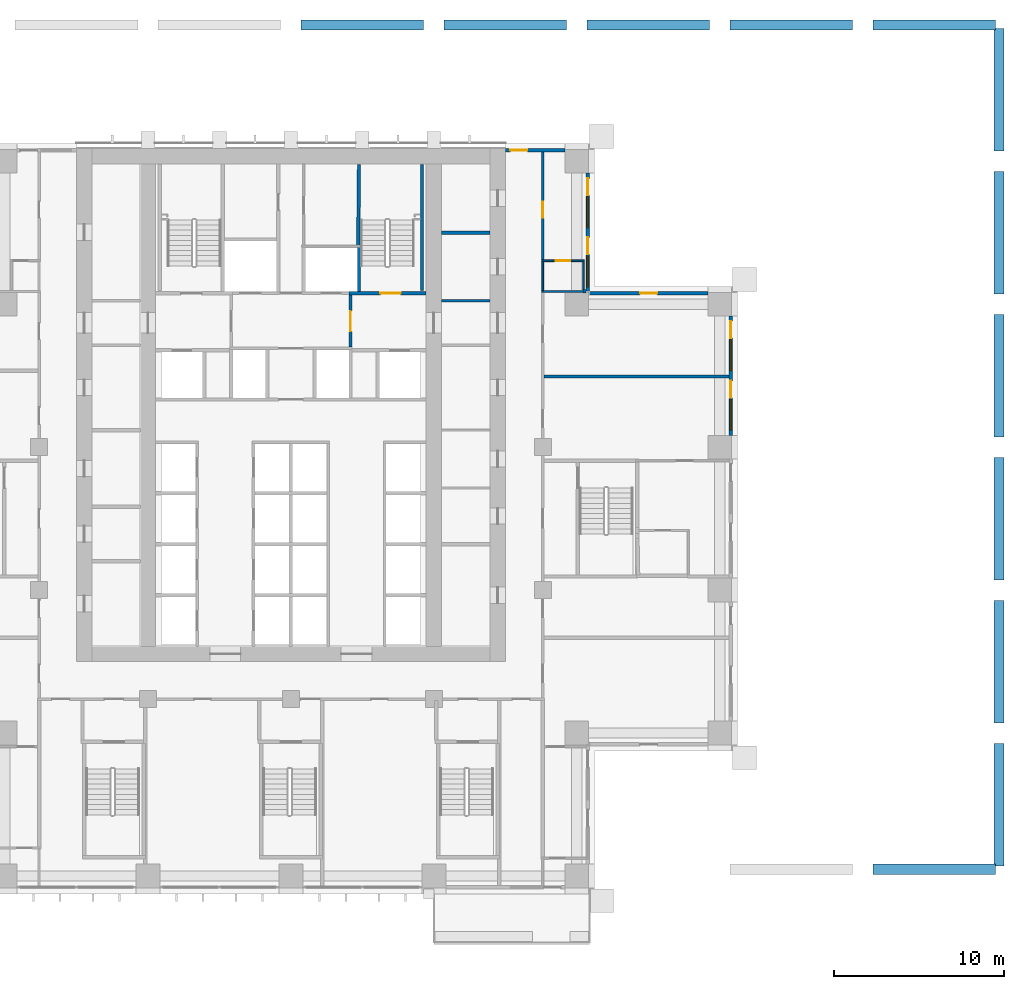
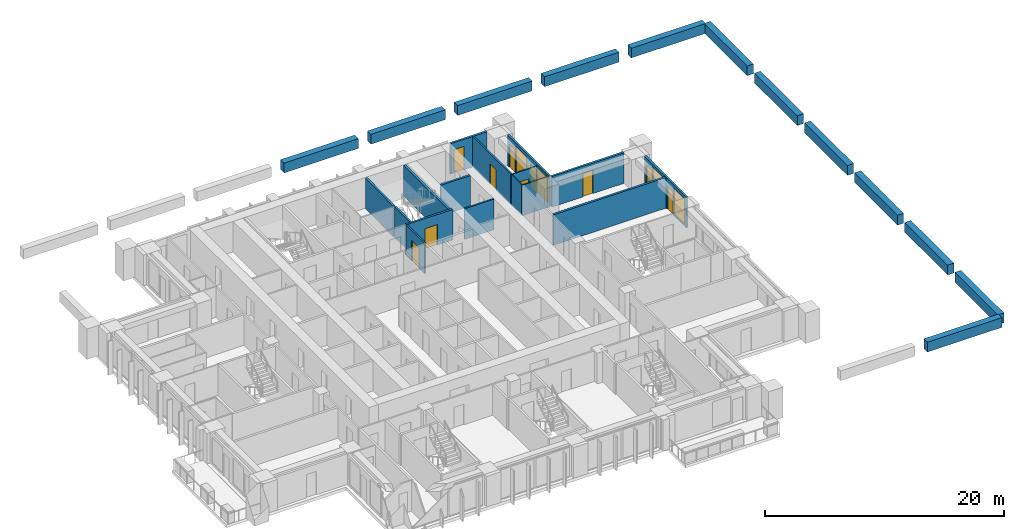
# One storey, part 13 of 18: 30 walls, 10 doors, 4 windows, 14 openings.
"""IFC4 building model written with IfcOpenShell, lengths in metres."""

import ifcopenshell
import ifcopenshell.guid

model = None  # the IFC model being written
_history = None  # IfcOwnerHistory: only IFC2X3 demands one
_inside = {}  # id of a spatial element -> (the spatial element, [elements in it])
_under = {}  # id of a project, library or spatial element -> (it, [spatial elements below it])
_declared = {}  # id of a project -> (the project, [libraries it declares])
_typed = {}  # id of a type object -> (the type object, [elements of that type])
_made_of = {}  # id of a material, layer set ... -> (it, [elements and type objects made of it])


def new_model(schema):
    """Start an empty IFC model of exactly this schema.

    Asked for "IFC4X3", IfcOpenShell would pick the latest addendum, in which some entities
    have other attributes; the version numbers below select the first issue.
    IFC2X3 requires an IfcOwnerHistory on every rooted entity: one is made here for all.
    """
    global model, _history
    if schema == "IFC4X3":
        model = ifcopenshell.file(schema_version=(4, 3, 0, 0))
    else:
        model = ifcopenshell.file(schema=schema)
    _inside.clear()
    _under.clear()
    _declared.clear()
    _typed.clear()
    _made_of.clear()
    _history = None
    if model.schema == "IFC2X3":
        org = make("IfcOrganization", Name="unknown")
        user = make(
            "IfcPersonAndOrganization",
            ThePerson=make("IfcPerson", FamilyName="unknown"),
            TheOrganization=org,
        )
        app = make(
            "IfcApplication",
            ApplicationDeveloper=org,
            Version="unknown",
            ApplicationFullName="unknown",
            ApplicationIdentifier="unknown",
        )
        _history = make(
            "IfcOwnerHistory",
            OwningUser=user,
            OwningApplication=app,
            ChangeAction="ADDED",
            CreationDate=0,
        )
    return model


def make(cls, **values):
    """One entity of the class cls with the attributes given. An attribute that is None is left unset."""
    return model.create_entity(
        cls, **{name: value for name, value in values.items() if value is not None}
    )


def rooted(cls, **values):
    """An entity with a GlobalId (a new one), such as an element, a storey or a relation."""
    return make(cls, GlobalId=ifcopenshell.guid.new(), OwnerHistory=_history, **values)


def si_unit(unit_type, name, prefix=None):
    """IfcSIUnit, for example si_unit("LENGTHUNIT", "METRE", prefix="MILLI")."""
    return make("IfcSIUnit", UnitType=unit_type, Prefix=prefix, Name=name)


def assignment(units):
    """IfcUnitAssignment: the units of a project."""
    return None if units is None else make("IfcUnitAssignment", Units=units)


def point(xyz):
    """IfcCartesianPoint."""
    return None if xyz is None else make("IfcCartesianPoint", Coordinates=xyz)


def direction(xyz):
    """IfcDirection."""
    return None if xyz is None else make("IfcDirection", DirectionRatios=xyz)


def frame(location, z_axis=None, x_axis=None):
    """IfcAxis2Placement3D, a coordinate frame: its origin and axes. An axis left out is left unset."""
    return make(
        "IfcAxis2Placement3D",
        Location=point(location),
        Axis=direction(z_axis),
        RefDirection=direction(x_axis),
    )


def frame_2d(location, x_axis=None):
    """IfcAxis2Placement2D, a coordinate frame in the plane: its origin and x axis."""
    return make(
        "IfcAxis2Placement2D", Location=point(location), RefDirection=direction(x_axis)
    )


def origin():
    """The frame at (0, 0, 0) with its axes left unset."""
    return frame((0.0, 0.0, 0.0))


def place(relative_to, where):
    """IfcLocalPlacement: puts the frame where relative to a parent placement (None: the world)."""
    return make(
        "IfcLocalPlacement", PlacementRelTo=relative_to, RelativePlacement=where
    )


def context(
    kind, dimensions, precision=None, world=None, true_north=None, identifier=None
):
    """IfcGeometricRepresentationContext, for example the 3D "Model" context."""
    return make(
        "IfcGeometricRepresentationContext",
        ContextIdentifier=identifier,
        ContextType=kind,
        CoordinateSpaceDimension=dimensions,
        Precision=precision,
        WorldCoordinateSystem=world,
        TrueNorth=true_north,
    )


def subcontext(parent, identifier, kind, view, scale=None):
    """IfcGeometricRepresentationSubContext, for example "Body" below "Model"."""
    return make(
        "IfcGeometricRepresentationSubContext",
        ContextIdentifier=identifier,
        ContextType=kind,
        ParentContext=parent,
        TargetScale=scale,
        TargetView=view,
    )


def project(units=None, contexts=None):
    """IfcProject with its units and contexts."""
    return rooted(
        "IfcProject",
        Name="project",
        RepresentationContexts=contexts,
        UnitsInContext=assignment(units),
    )


def spatial(cls, under=None, at=None, **own):
    """A site, building, storey or space (cls), placed at a placement, below another one or the project."""
    s = rooted(cls, ObjectPlacement=at, **own)
    if under is not None:
        _under.setdefault(under.id(), (under, []))[1].append(s)
    return s


def profile(cls, at=None, kind="AREA", **sizes):
    """A parametric profile (cls). Its sizes go by their IFC names, for example OverallWidth=200.0."""
    return make(cls, ProfileType=kind, Position=at, **sizes)


def rectangle(**sizes):
    """IfcRectangleProfileDef."""
    return profile("IfcRectangleProfileDef", **sizes)


def extrude(swept, where, along, depth):
    """IfcExtrudedAreaSolid: the profile swept, set in the frame where, extruded along a direction by depth."""
    return make(
        "IfcExtrudedAreaSolid",
        SweptArea=swept,
        Position=where,
        ExtrudedDirection=direction(along),
        Depth=depth,
    )


def shape(context_of_items, identifier, shape_type, items):
    """IfcShapeRepresentation: the items that make up one representation, for example the "Body"."""
    return make(
        "IfcShapeRepresentation",
        ContextOfItems=context_of_items,
        RepresentationIdentifier=identifier,
        RepresentationType=shape_type,
        Items=items,
    )


def material(Name=None, Category=None):
    """IfcMaterial."""
    return make("IfcMaterial", Name=Name, Category=Category)


def layer(
    of_material, thickness, ventilated=None, Name=None, Category=None, Priority=None
):
    """IfcMaterialLayer: one layer of a wall or slab, of a material (None: an air gap)."""
    return make(
        "IfcMaterialLayer",
        Material=of_material,
        LayerThickness=thickness,
        IsVentilated=ventilated,
        Name=Name,
        Category=Category,
        Priority=Priority,
    )


def layer_set(layers, Name=None):
    """IfcMaterialLayerSet."""
    return make("IfcMaterialLayerSet", MaterialLayers=layers, LayerSetName=Name)


def made_of(thing, what):
    """Note that an element or type object is made of a material, layer set ...; save() writes the relation."""
    if what is not None:
        _made_of.setdefault(what.id(), (what, []))[1].append(thing)
    return thing


def type_object(cls, material=None, **own):
    """A type object (cls), such as IfcWallType, which elements share."""
    return made_of(rooted(cls, **own), material)


def element(
    cls,
    number,
    at=None,
    inside=None,
    cuts=None,
    type_object=None,
    material=None,
    context=None,
    identifier="Body",
    shape_type=None,
    held_by="IfcProductDefinitionShape",
    body=None,
    shapes=None,
    **own,
):
    """One element of the class cls, such as IfcWall. Its Tag is "e" and its number.

    at: its placement. inside: the storey or other place that contains it. cuts: it is an
    opening in that element (IfcRelVoidsElement). A single representation is given by context,
    identifier, shape_type and body (its items); several are given by shapes. held_by: the class
    of the entity that holds the representations. save() writes the other relations.
    """
    e = rooted(cls, Tag="e%d" % number, ObjectPlacement=at, **own)
    if body is not None:
        shapes = [shape(context, identifier, shape_type, body)]
    if shapes is not None:
        e.Representation = make(held_by, Representations=shapes)
    if inside is not None:
        _inside.setdefault(inside.id(), (inside, []))[1].append(e)
    if cuts is not None:
        rooted(
            "IfcRelVoidsElement", RelatingBuildingElement=cuts, RelatedOpeningElement=e
        )
    if type_object is not None:
        _typed.setdefault(type_object.id(), (type_object, []))[1].append(e)
    return made_of(e, material)


def fill(opening, filler):
    """IfcRelFillsElement: the door or window that sits in an opening."""
    return rooted(
        "IfcRelFillsElement",
        RelatingOpeningElement=opening,
        RelatedBuildingElement=filler,
    )


def aggregate(whole, parts):
    """IfcRelAggregates: a whole, such as a stair, and the parts it consists of."""
    return rooted("IfcRelAggregates", RelatingObject=whole, RelatedObjects=parts)


def save(model, path):
    """Write the relations noted so far, then the file.

    IfcRelAggregates (storeys below a building ...), IfcRelContainedInSpatialStructure (elements
    in a storey), IfcRelDefinesByType, IfcRelAssociatesMaterial and IfcRelDeclares: one each for
    every whole, place, type object, material and project.
    """
    for whole, parts in _under.values():
        aggregate(whole, parts)
    for where, things in _inside.values():
        rooted(
            "IfcRelContainedInSpatialStructure",
            RelatedElements=things,
            RelatingStructure=where,
        )
    for kind, things in _typed.values():
        rooted("IfcRelDefinesByType", RelatedObjects=things, RelatingType=kind)
    for what, things in _made_of.values():
        rooted("IfcRelAssociatesMaterial", RelatedObjects=things, RelatingMaterial=what)
    for by, libraries in _declared.values():
        rooted("IfcRelDeclares", RelatingContext=by, RelatedDefinitions=libraries)
    model.write(path)


model = new_model("IFC4")

# Units and contexts
model_context = context("Model", 3, precision=1e-05, world=origin(), true_north=direction((0.0, 1.0)))
body_context = subcontext(model_context, "Body", "Model", "MODEL_VIEW")
ifc_project = project(units=[si_unit("LENGTHUNIT", "METRE"), si_unit("AREAUNIT", "SQUARE_METRE"), si_unit("VOLUMEUNIT", "CUBIC_METRE"), si_unit("PLANEANGLEUNIT", "RADIAN"), si_unit("MASSUNIT", "GRAM", prefix="KILO")], contexts=[model_context])

# Site, building, storey
site_placement = place(None, origin())
site = spatial("IfcSite", under=ifc_project, at=site_placement, CompositionType="ELEMENT")
building_placement = place(site_placement, origin())
building = spatial("IfcBuilding", under=site, at=building_placement, Name="Vermilion Ogive Tower", CompositionType="ELEMENT")
storey_placement = place(building_placement, frame((0.0, 0.0, 34.5)))
storey = spatial("IfcBuildingStorey", under=building, at=storey_placement, Name="L06", CompositionType="ELEMENT", Elevation=34.5)

# Wall
ifc_material_1 = material(Name="Gypsum board partition on steel studs", Category="steel")
ifc_layer_1 = layer(ifc_material_1, 0.10009765625)
ifc_layer_set_1 = layer_set([ifc_layer_1], Name="Partition 100 bath")
wall_type_1 = type_object("IfcWallType", Name="Partition 100 bath", PredefinedType="PARTITIONING", material=ifc_layer_set_1)
wall_1_placement = place(storey_placement, frame((14.72509765625, 13.35009765625, 0.0), z_axis=(0.0, 0.0, 1.0), x_axis=(1.0, 0.0, 0.0)))
element("IfcWall", 1, at=wall_1_placement, inside=storey, type_object=wall_type_1, Name="L06-W-W031", PredefinedType="PARTITIONING", context=body_context, shape_type="SweptSolid", body=[
    extrude(rectangle(XDim=2.52490234375, YDim=0.10009765625, at=frame_2d((1.262451171875, 0.0))), origin(), (0.0, 0.0, 1.0), 3.1298828125),
])

# Wall, opening, door
wall_2_placement = place(storey_placement, frame((14.72509765625, 15.14990234375, 0.0), z_axis=(0.0, 0.0, 1.0), x_axis=(1.0, 0.0, 0.0)))
wall_2 = element("IfcWall", 2, at=wall_2_placement, inside=storey, type_object=wall_type_1, Name="L06-W-W034", PredefinedType="PARTITIONING", context=body_context, shape_type="SweptSolid", body=[
    extrude(rectangle(XDim=2.52490234375, YDim=0.10009765625, at=frame_2d((1.262451171875, 0.0))), origin(), (0.0, 0.0, 1.0), 3.1298828125),
])
opening_1_placement = place(wall_2_placement, frame((0.849853515625, 0.0, 0.0)))
opening_1 = element("IfcOpeningElement", 3, at=opening_1_placement, cuts=wall_2, Name="Opening D1G1022", PredefinedType="OPENING", context=body_context, shape_type="SweptSolid", body=[
    extrude(rectangle(XDim=0.85009765625, YDim=2.10009765625, at=frame_2d((0.425048828125, 1.050048828125))), frame((0.0, 0.06005859375, 0.0), z_axis=(0.0, -1.0, 0.0), x_axis=(1.0, 0.0, 0.0)), (0.0, 0.0, 1.0), 0.1201171875),
])
ifc_material_2 = material(Name="Timber door leaf", Category="wood")
door_type_1 = type_object("IfcDoorType", Name="Bath door 850 x 2100 FD30", OperationType="SINGLE_SWING_LEFT", PredefinedType="DOOR", material=ifc_material_2)
door_1_placement = place(opening_1_placement, origin())
door_1 = element("IfcDoor", 4, at=door_1_placement, inside=storey, type_object=door_type_1, Name="L06-D-D022", OperationType="SINGLE_SWING_RIGHT", OverallHeight=2.10009765625, OverallWidth=0.85009765625, PredefinedType="DOOR", context=body_context, shape_type="SweptSolid", body=[
    extrude(rectangle(XDim=0.85009765625, YDim=2.10009765625, at=frame_2d((0.425048828125, 1.050048828125))), frame((0.0, 0.02490234375, 0.0), z_axis=(0.0, -1.0, 0.0), x_axis=(1.0, 0.0, 0.0)), (0.0, 0.0, 1.0), 0.050048828125),
])
fill(opening_1, door_1)

# Walls
wall_3_placement = place(storey_placement, frame((14.800048828125, 13.39990234375, 0.0), z_axis=(0.0, 0.0, 1.0), x_axis=(0.0, 1.0, 0.0)))
element("IfcWall", 5, at=wall_3_placement, inside=storey, type_object=wall_type_1, Name="L06-W-W060", PredefinedType="PARTITIONING", context=body_context, shape_type="SweptSolid", body=[
    extrude(rectangle(XDim=1.7001953125, YDim=0.10009765625, at=frame_2d((0.85009765625, 0.0))), origin(), (0.0, 0.0, 1.0), 3.1298828125),
])
wall_4_placement = place(storey_placement, frame((17.199951171875, 13.449951171875, 0.0), z_axis=(0.0, 0.0, 1.0), x_axis=(0.0, 1.0, 0.0)))
element("IfcWall", 6, at=wall_4_placement, inside=storey, type_object=wall_type_1, Name="L06-W-W063", PredefinedType="PARTITIONING", context=body_context, shape_type="SweptSolid", body=[
    extrude(rectangle(XDim=1.650146484375, YDim=0.10009765625, at=frame_2d((0.8251953125, 0.0))), origin(), (0.0, 0.0, 1.0), 3.1298828125),
])

# Wall, opening, door
ifc_material_3 = material(Name="Gypsum board partition on steel studs", Category="steel")
ifc_layer_2 = layer(ifc_material_3, 0.14990234375)
ifc_layer_set_2 = layer_set([ifc_layer_2], Name="Partition 150 corridor")
wall_type_2 = type_object("IfcWallType", Name="Partition 150 corridor", PredefinedType="PARTITIONING", material=ifc_layer_set_2)
wall_5_placement = place(storey_placement, frame((14.800048828125, 15.199951171875, 0.0), z_axis=(0.0, 0.0, 1.0), x_axis=(0.0, 1.0, 0.0)))
wall_5 = element("IfcWall", 7, at=wall_5_placement, inside=storey, type_object=wall_type_2, Name="L06-W-W061", PredefinedType="PARTITIONING", context=body_context, shape_type="SweptSolid", body=[
    extrude(rectangle(XDim=6.35009765625, YDim=0.14990234375, at=frame_2d((3.175048828125, 0.0))), origin(), (0.0, 0.0, 1.0), 3.1298828125),
])
opening_2_placement = place(wall_5_placement, frame((2.47509765625, 0.0, 0.0)))
opening_2 = element("IfcOpeningElement", 8, at=opening_2_placement, cuts=wall_5, Name="Opening D1G1021", PredefinedType="OPENING", context=body_context, shape_type="SweptSolid", body=[
    extrude(rectangle(XDim=0.949951171875, YDim=2.10009765625, at=frame_2d((0.47509765625, 1.050048828125))), frame((0.0, 0.0849609375, 0.0), z_axis=(0.0, -1.0, 0.0), x_axis=(1.0, 0.0, 0.0)), (0.0, 0.0, 1.0), 0.169921875),
])
ifc_material_4 = material(Name="Timber door leaf", Category="wood")
door_type_2 = type_object("IfcDoorType", Name="Unit door 950 x 2100 FD30S", OperationType="SINGLE_SWING_LEFT", PredefinedType="DOOR", material=ifc_material_4)
door_2_placement = place(opening_2_placement, origin())
door_2 = element("IfcDoor", 9, at=door_2_placement, inside=storey, type_object=door_type_2, Name="L06-D-D021", OperationType="SINGLE_SWING_LEFT", OverallHeight=2.10009765625, OverallWidth=0.949951171875, PredefinedType="DOOR", context=body_context, shape_type="SweptSolid", body=[
    extrude(rectangle(XDim=0.949951171875, YDim=2.10009765625, at=frame_2d((0.47509765625, 1.050048828125))), frame((0.0, 0.02490234375, 0.0), z_axis=(0.0, -1.0, 0.0), x_axis=(1.0, 0.0, 0.0)), (0.0, 0.0, 1.0), 0.050048828125),
])
fill(opening_2, door_2)

wall_6_placement = place(storey_placement, frame((3.5, 10.074951171875, 0.0), z_axis=(0.0, 0.0, 1.0), x_axis=(0.0, 1.0, 0.0)))
wall_6 = element("IfcWall", 10, at=wall_6_placement, inside=storey, type_object=wall_type_2, Name="L06-CK-W-W036", PredefinedType="PARTITIONING", context=body_context, shape_type="SweptSolid", body=[
    extrude(rectangle(XDim=3.074951171875, YDim=0.14990234375, at=frame_2d((1.53759765625, 0.0))), origin(), (0.0, 0.0, 1.0), 3.1298828125),
])
opening_3_placement = place(wall_6_placement, frame((0.925048828125, 0.0, 0.0)))
opening_3 = element("IfcOpeningElement", 11, at=opening_3_placement, cuts=wall_6, Name="Opening DAA002", PredefinedType="OPENING", context=body_context, shape_type="SweptSolid", body=[
    extrude(rectangle(XDim=1.199951171875, YDim=2.10009765625, at=frame_2d((0.60009765625, 1.050048828125))), frame((0.0, 0.0849609375, 0.0), z_axis=(0.0, -1.0, 0.0), x_axis=(1.0, 0.0, 0.0)), (0.0, 0.0, 1.0), 0.169921875),
])
ifc_material_5 = material(Name="Timber door leaf", Category="wood")
door_type_3 = type_object("IfcDoorType", Name="Lobby door 1200 x 2100 FD60S", OperationType="SINGLE_SWING_LEFT", PredefinedType="DOOR", material=ifc_material_5)
door_3_placement = place(opening_3_placement, origin())
door_3 = element("IfcDoor", 12, at=door_3_placement, inside=storey, type_object=door_type_3, Name="L06-CK-D-D021", OperationType="SINGLE_SWING_LEFT", OverallHeight=2.10009765625, OverallWidth=1.199951171875, PredefinedType="DOOR", context=body_context, shape_type="SweptSolid", body=[
    extrude(rectangle(XDim=1.199951171875, YDim=2.10009765625, at=frame_2d((0.60009765625, 1.050048828125))), frame((0.0, 0.02490234375, 0.0), z_axis=(0.0, -1.0, 0.0), x_axis=(1.0, 0.0, 0.0)), (0.0, 0.0, 1.0), 0.050048828125),
])
fill(opening_3, door_3)

# Walls
wall_7_placement = place(storey_placement, frame((8.85107421875, 12.800048828125, 0.0), z_axis=(0.0, 0.0, 1.0), x_axis=(1.0, 0.0, 0.0)))
element("IfcWall", 13, at=wall_7_placement, inside=storey, type_object=wall_type_2, Name="L06-CKE-W-W005", PredefinedType="PARTITIONING", context=body_context, shape_type="SweptSolid", body=[
    extrude(rectangle(XDim=2.847900390625, YDim=0.14990234375, at=frame_2d((1.423828125, 0.0))), origin(), (0.0, 0.0, 1.0), 3.1298828125),
])
ifc_material_6 = material(Name="Gypsum board partition on steel studs", Category="steel")
ifc_layer_3 = layer(ifc_material_6, 0.199951171875)
ifc_layer_set_3 = layer_set([ifc_layer_3], Name="Partition 200 party")
wall_type_3 = type_object("IfcWallType", Name="Partition 200 party", PredefinedType="PARTITIONING", material=ifc_layer_set_3)
wall_8_placement = place(storey_placement, frame((14.875, 8.35009765625, 0.0), z_axis=(0.0, 0.0, 1.0), x_axis=(1.0, 0.0, 0.0)))
element("IfcWall", 14, at=wall_8_placement, inside=storey, type_object=wall_type_3, Name="L06-W-W027", PredefinedType="PARTITIONING", context=body_context, shape_type="SweptSolid", body=[
    extrude(rectangle(XDim=10.875, YDim=0.199951171875, at=frame_2d((5.4375, 0.0))), origin(), (0.0, 0.0, 1.0), 3.1298828125),
])
wall_9_placement = place(storey_placement, frame((17.14990234375, 13.35009765625, 0.0), z_axis=(0.0, 0.0, 1.0), x_axis=(1.0, 0.0, 0.0)))
element("IfcWall", 15, at=wall_9_placement, inside=storey, type_object=wall_type_3, Name="L06-W-W032", PredefinedType="PARTITIONING", context=body_context, shape_type="SweptSolid", body=[
    extrude(rectangle(XDim=0.2001953125, YDim=0.199951171875, at=frame_2d((0.10009765625, 0.0))), origin(), (0.0, 0.0, 1.0), 3.1298828125),
])
wall_10_placement = place(storey_placement, frame((8.85107421875, 16.800048828125, 0.0), z_axis=(0.0, 0.0, 1.0), x_axis=(1.0, 0.0, 0.0)))
element("IfcWall", 16, at=wall_10_placement, inside=storey, type_object=wall_type_3, Name="L06-CKE-W-W006", PredefinedType="PARTITIONING", context=body_context, shape_type="SweptSolid", body=[
    extrude(rectangle(XDim=2.847900390625, YDim=0.199951171875, at=frame_2d((1.423828125, 0.0))), origin(), (0.0, 0.0, 1.0), 3.1298828125),
])

# Wall, opening, door
ifc_material_7 = material(Name="Concrete B60", Category="concrete")
ifc_layer_4 = layer(ifc_material_7, 0.199951171875)
ifc_layer_set_4 = layer_set([ifc_layer_4], Name="Stair shaft wall 200 Concrete B60")
wall_type_4 = type_object("IfcWallType", Name="Stair shaft wall 200 Concrete B60", PredefinedType="SOLIDWALL", material=ifc_layer_set_4)
wall_11_placement = place(storey_placement, frame((3.425048828125, 13.25, 0.0), z_axis=(0.0, 0.0, 1.0), x_axis=(1.0, 0.0, 0.0)))
wall_11 = element("IfcWall", 17, at=wall_11_placement, inside=storey, type_object=wall_type_4, Name="L06-CK-W-W019", PredefinedType="SOLIDWALL", context=body_context, shape_type="SweptSolid", body=[
    extrude(rectangle(XDim=4.52392578125, YDim=0.199951171875, at=frame_2d((2.261962890625, 0.0))), origin(), (0.0, 0.0, 1.0), 3.1298828125),
])
opening_4_placement = place(wall_11_placement, frame((1.824951171875, 0.0, 0.0)))
opening_4 = element("IfcOpeningElement", 18, at=opening_4_placement, cuts=wall_11, Name="Opening DAA009", PredefinedType="OPENING", context=body_context, shape_type="SweptSolid", body=[
    extrude(rectangle(XDim=1.199951171875, YDim=2.10009765625, at=frame_2d((0.60009765625, 1.050048828125))), frame((0.0, 0.10986328125, 0.0), z_axis=(0.0, -1.0, 0.0), x_axis=(1.0, 0.0, 0.0)), (0.0, 0.0, 1.0), 0.219970703125),
])
ifc_material_8 = material(Name="Timber door leaf", Category="wood")
door_type_4 = type_object("IfcDoorType", Name="Stair door 1200 x 2100 FD60S", OperationType="SINGLE_SWING_LEFT", PredefinedType="DOOR", material=ifc_material_8)
door_4_placement = place(opening_4_placement, origin())
door_4 = element("IfcDoor", 19, at=door_4_placement, inside=storey, type_object=door_type_4, Name="L06-CK-D-D011", OperationType="SINGLE_SWING_RIGHT", OverallHeight=2.10009765625, OverallWidth=1.199951171875, PredefinedType="DOOR", context=body_context, shape_type="SweptSolid", body=[
    extrude(rectangle(XDim=1.199951171875, YDim=2.10009765625, at=frame_2d((0.60009765625, 1.050048828125))), frame((0.0, 0.02490234375, 0.0), z_axis=(0.0, -1.0, 0.0), x_axis=(1.0, 0.0, 0.0)), (0.0, 0.0, 1.0), 0.050048828125),
])
fill(opening_4, door_4)

# Walls
wall_12_placement = place(storey_placement, frame((4.0, 13.35009765625, 0.0), z_axis=(0.0, 0.0, 1.0), x_axis=(0.0, 1.0, 0.0)))
element("IfcWall", 20, at=wall_12_placement, inside=storey, type_object=wall_type_4, Name="L06-CK-W-W037", PredefinedType="SOLIDWALL", context=body_context, shape_type="SweptSolid", body=[
    extrude(rectangle(XDim=2.599853515625, YDim=0.199951171875, at=frame_2d((1.2998046875, 0.0))), origin(), (0.0, 0.0, 1.0), 3.1298828125),
])
wall_13_placement = place(storey_placement, frame((3.949951171875, 16.050048828125, 0.0), z_axis=(0.0, 0.0, 1.0), x_axis=(0.010538176883, 0.999944471872, 0.0)))
element("IfcWall", 21, at=wall_13_placement, inside=storey, type_object=wall_type_4, Name="L06-CK-W-W038", PredefinedType="SOLIDWALL", context=body_context, shape_type="SweptSolid", body=[
    extrude(rectangle(XDim=4.749267578125, YDim=0.199951171875, at=frame_2d((2.37451171875, 0.0))), origin(), (0.0, 0.0, 1.0), 3.1298828125),
])
wall_14_placement = place(storey_placement, frame((7.699951171875, 13.39990234375, 0.0), z_axis=(0.0, 0.0, 1.0), x_axis=(0.0, 1.0, 0.0)))
element("IfcWall", 22, at=wall_14_placement, inside=storey, type_object=wall_type_4, Name="L06-SW-R025-E1", PredefinedType="SOLIDWALL", context=body_context, shape_type="SweptSolid", body=[
    extrude(rectangle(XDim=7.400146484375, YDim=0.199951171875, at=frame_2d((3.7001953125, 0.0))), origin(), (0.0, 0.0, 1.0), 3.1298828125),
])
ifc_material_9 = material(Name="Concrete B40", Category="concrete")
ifc_layer_5 = layer(ifc_material_9, 0.60009765625)
ifc_layer_set_5 = layer_set([ifc_layer_5], Name="Terrace planter")
wall_type_5 = type_object("IfcWallType", Name="Terrace planter", PredefinedType="USERDEFINED", material=ifc_layer_set_5)
for number, where, z_axis, x_axis, name in (
    (23, (0.60009765625, 29.0, 0.0), (0.0, 0.0, 1.0), (1.0, 0.0, 0.0), "Terrace planter 2.1.5"),
    (24, (9.0, 29.0, 0.0), (0.0, 0.0, 1.0), (1.0, 0.0, 0.0), "Terrace planter 2.1.6"),
):
    element("IfcWall", number, at=place(storey_placement, frame(where, z_axis=z_axis, x_axis=x_axis)), inside=storey, type_object=wall_type_5, Name=name, ObjectType="PLANTER", PredefinedType="USERDEFINED", context=body_context, shape_type="SweptSolid", body=[
        extrude(rectangle(XDim=7.199951171875, YDim=0.60009765625, at=frame_2d((3.60009765625, 0.0))), origin(), (0.0, 0.0, 1.0), 1.0),
    ])
wall_15_placement = place(storey_placement, frame((17.39990234375, 29.0, 0.0), z_axis=(0.0, 0.0, 1.0), x_axis=(1.0, 0.0, 0.0)))
element("IfcWall", 25, at=wall_15_placement, inside=storey, type_object=wall_type_5, Name="Terrace planter 2.1.7", ObjectType="PLANTER", PredefinedType="USERDEFINED", context=body_context, shape_type="SweptSolid", body=[
    extrude(rectangle(XDim=7.2001953125, YDim=0.60009765625, at=frame_2d((3.60009765625, 0.0))), origin(), (0.0, 0.0, 1.0), 1.0),
])
for number, where, z_axis, x_axis, name in (
    (26, (25.800048828125, 29.0, 0.0), (0.0, 0.0, 1.0), (1.0, 0.0, 0.0), "Terrace planter 2.1.8"),
    (27, (34.199951171875, 29.0, 0.0), (0.0, 0.0, 1.0), (1.0, 0.0, 0.0), "Terrace planter 2.1.9"),
    (28, (41.60009765625, 28.800048828125, 0.0), (0.0, 0.0, 1.0), (0.0, -1.0, 0.0), "Terrace planter 2.1.10"),
    (29, (41.60009765625, 20.39990234375, 0.0), (0.0, 0.0, 1.0), (0.0, -1.0, 0.0), "Terrace planter 2.1.11"),
    (30, (41.60009765625, 12.0, 0.0), (0.0, 0.0, 1.0), (0.0, -1.0, 0.0), "Terrace planter 2.1.12"),
):
    element("IfcWall", number, at=place(storey_placement, frame(where, z_axis=z_axis, x_axis=x_axis)), inside=storey, type_object=wall_type_5, Name=name, ObjectType="PLANTER", PredefinedType="USERDEFINED", context=body_context, shape_type="SweptSolid", body=[
        extrude(rectangle(XDim=7.199951171875, YDim=0.60009765625, at=frame_2d((3.60009765625, 0.0))), origin(), (0.0, 0.0, 1.0), 1.0),
    ])
wall_16_placement = place(storey_placement, frame((41.60009765625, 3.60009765625, 0.0), z_axis=(0.0, 0.0, 1.0), x_axis=(0.0, -1.0, 0.0)))
element("IfcWall", 31, at=wall_16_placement, inside=storey, type_object=wall_type_5, Name="Terrace planter 2.1.13", ObjectType="PLANTER", PredefinedType="USERDEFINED", context=body_context, shape_type="SweptSolid", body=[
    extrude(rectangle(XDim=7.2001953125, YDim=0.60009765625, at=frame_2d((3.60009765625, 0.0))), origin(), (0.0, 0.0, 1.0), 1.0),
])
for number, where, z_axis, x_axis, name in (
    (32, (41.60009765625, -4.800048828125, 0.0), (0.0, 0.0, 1.0), (0.0, -1.0, 0.0), "Terrace planter 2.1.14"),
    (33, (41.60009765625, -13.199951171875, 0.0), (0.0, 0.0, 1.0), (0.0, -1.0, 0.0), "Terrace planter 2.1.15"),
    (34, (41.39990234375, -20.60009765625, 0.0), (0.0, 0.0, 1.0), (-1.0, 0.0, 0.0), "Terrace planter 2.1.16"),
):
    element("IfcWall", number, at=place(storey_placement, frame(where, z_axis=z_axis, x_axis=x_axis)), inside=storey, type_object=wall_type_5, Name=name, ObjectType="PLANTER", PredefinedType="USERDEFINED", context=body_context, shape_type="SweptSolid", body=[
        extrude(rectangle(XDim=7.199951171875, YDim=0.60009765625, at=frame_2d((3.60009765625, 0.0))), origin(), (0.0, 0.0, 1.0), 1.0),
    ])

# Wall, openings, doors, windows
ifc_material_10 = material(Name="Aluminium window wall framing", Category="aluminium")
ifc_layer_6 = layer(ifc_material_10, 0.199951171875)
ifc_layer_set_6 = layer_set([ifc_layer_6], Name="Window wall")
wall_type_6 = type_object("IfcWallType", Name="Window wall", PredefinedType="STANDARD", material=ifc_layer_set_6)
wall_17_placement = place(storey_placement, frame((25.85009765625, 4.89990234375, 0.0), z_axis=(0.0, 0.0, 1.0), x_axis=(0.0, 1.0, 0.0)))
wall_17 = element("IfcWall", 35, at=wall_17_placement, inside=storey, type_object=wall_type_6, Name="Window wall E3", PredefinedType="STANDARD", context=body_context, shape_type="SweptSolid", body=[
    extrude(rectangle(XDim=7.0, YDim=0.199951171875, at=frame_2d((3.5, 0.0))), origin(), (0.0, 0.0, 1.0), 3.1298828125),
])
opening_5_placement = place(wall_17_placement, frame((0.300048828125, 0.0, 0.199951171875)))
opening_5 = element("IfcOpeningElement", 36, at=opening_5_placement, cuts=wall_17, Name="Opening W1-E01", PredefinedType="OPENING", context=body_context, shape_type="SweptSolid", body=[
    extrude(rectangle(XDim=1.800048828125, YDim=2.64990234375, at=frame_2d((0.89990234375, 1.324951171875))), frame((0.0, 0.10986328125, 0.0), z_axis=(0.0, -1.0, 0.0), x_axis=(1.0, 0.0, 0.0)), (0.0, 0.0, 1.0), 0.219970703125),
])
opening_6_placement = place(wall_17_placement, frame((2.199951171875, 0.0, 0.0)))
opening_6 = element("IfcOpeningElement", 37, at=opening_6_placement, cuts=wall_17, Name="Opening D1-E01", PredefinedType="OPENING", context=body_context, shape_type="SweptSolid", body=[
    extrude(rectangle(XDim=1.0, YDim=2.39990234375, at=frame_2d((0.5, 1.199951171875))), frame((0.0, 0.10986328125, 0.0), z_axis=(0.0, -1.0, 0.0), x_axis=(1.0, 0.0, 0.0)), (0.0, 0.0, 1.0), 0.219970703125),
])
opening_7_placement = place(wall_17_placement, frame((3.800048828125, 0.0, 0.199951171875)))
opening_7 = element("IfcOpeningElement", 38, at=opening_7_placement, cuts=wall_17, Name="Opening W1-E02", PredefinedType="OPENING", context=body_context, shape_type="SweptSolid", body=[
    extrude(rectangle(XDim=1.800048828125, YDim=2.64990234375, at=frame_2d((0.89990234375, 1.324951171875))), frame((0.0, 0.10986328125, 0.0), z_axis=(0.0, -1.0, 0.0), x_axis=(1.0, 0.0, 0.0)), (0.0, 0.0, 1.0), 0.219970703125),
])
opening_8_placement = place(wall_17_placement, frame((5.699951171875, 0.0, 0.0)))
opening_8 = element("IfcOpeningElement", 39, at=opening_8_placement, cuts=wall_17, Name="Opening D1-E02", PredefinedType="OPENING", context=body_context, shape_type="SweptSolid", body=[
    extrude(rectangle(XDim=1.0, YDim=2.39990234375, at=frame_2d((0.5, 1.199951171875))), frame((0.0, 0.10986328125, 0.0), z_axis=(0.0, -1.0, 0.0), x_axis=(1.0, 0.0, 0.0)), (0.0, 0.0, 1.0), 0.219970703125),
])
ifc_material_11 = material(Name="Aluminium framed glazed door", Category="aluminium")
door_type_5 = type_object("IfcDoorType", Name="Balcony door D1", OperationType="SINGLE_SWING_LEFT", PredefinedType="DOOR", material=ifc_material_11)
door_5_placement = place(opening_6_placement, origin())
door_5 = element("IfcDoor", 40, at=door_5_placement, inside=storey, type_object=door_type_5, Name="Balcony door E01", OperationType="SINGLE_SWING_LEFT", OverallHeight=2.39990234375, OverallWidth=1.0, PredefinedType="DOOR", context=body_context, shape_type="SweptSolid", body=[
    extrude(rectangle(XDim=1.0, YDim=2.39990234375, at=frame_2d((0.5, 1.199951171875))), frame((0.0, 0.02490234375, 0.0), z_axis=(0.0, -1.0, 0.0), x_axis=(1.0, 0.0, 0.0)), (0.0, 0.0, 1.0), 0.050048828125),
])
fill(opening_6, door_5)
door_6_placement = place(opening_8_placement, origin())
door_6 = element("IfcDoor", 41, at=door_6_placement, inside=storey, type_object=door_type_5, Name="Balcony door E02", OperationType="SINGLE_SWING_LEFT", OverallHeight=2.39990234375, OverallWidth=1.0, PredefinedType="DOOR", context=body_context, shape_type="SweptSolid", body=[
    extrude(rectangle(XDim=1.0, YDim=2.39990234375, at=frame_2d((0.5, 1.199951171875))), frame((0.0, 0.02490234375, 0.0), z_axis=(0.0, -1.0, 0.0), x_axis=(1.0, 0.0, 0.0)), (0.0, 0.0, 1.0), 0.050048828125),
])
fill(opening_8, door_6)
ifc_material_12 = material(Name="Aluminium framed double glazing", Category="aluminium")
window_type = type_object("IfcWindowType", Name="Guest window W1", PartitioningType="SINGLE_PANEL", PredefinedType="WINDOW", material=ifc_material_12)
window_1_placement = place(opening_5_placement, origin())
window_1 = element("IfcWindow", 42, at=window_1_placement, inside=storey, type_object=window_type, Name="Window E01", OverallHeight=2.64990234375, OverallWidth=1.800048828125, PartitioningType="SINGLE_PANEL", PredefinedType="WINDOW", context=body_context, shape_type="SweptSolid", body=[
    extrude(rectangle(XDim=1.800048828125, YDim=2.64990234375, at=frame_2d((0.89990234375, 1.324951171875))), frame((0.0, 0.030029296875, 0.0), z_axis=(0.0, -1.0, 0.0), x_axis=(1.0, 0.0, 0.0)), (0.0, 0.0, 1.0), 0.06005859375),
])
fill(opening_5, window_1)
window_2_placement = place(opening_7_placement, origin())
window_2 = element("IfcWindow", 43, at=window_2_placement, inside=storey, type_object=window_type, Name="Window E02", OverallHeight=2.64990234375, OverallWidth=1.800048828125, PartitioningType="SINGLE_PANEL", PredefinedType="WINDOW", context=body_context, shape_type="SweptSolid", body=[
    extrude(rectangle(XDim=1.800048828125, YDim=2.64990234375, at=frame_2d((0.89990234375, 1.324951171875))), frame((0.0, 0.030029296875, 0.0), z_axis=(0.0, -1.0, 0.0), x_axis=(1.0, 0.0, 0.0)), (0.0, 0.0, 1.0), 0.06005859375),
])
fill(opening_7, window_2)

# Wall, opening, door
wall_18_placement = place(storey_placement, frame((24.5, 13.25, 0.0), z_axis=(0.0, 0.0, 1.0), x_axis=(-1.0, 0.0, 0.0)))
wall_18 = element("IfcWall", 44, at=wall_18_placement, inside=storey, type_object=wall_type_6, Name="Window wall X31", PredefinedType="STANDARD", context=body_context, shape_type="SweptSolid", body=[
    extrude(rectangle(XDim=6.949951171875, YDim=0.199951171875, at=frame_2d((3.47509765625, 0.0))), origin(), (0.0, 0.0, 1.0), 3.1298828125),
])
opening_9_placement = place(wall_18_placement, frame((2.97509765625, 0.0, 0.0)))
opening_9 = element("IfcOpeningElement", 45, at=opening_9_placement, cuts=wall_18, Name="Opening D1-X3X", PredefinedType="OPENING", context=body_context, shape_type="SweptSolid", body=[
    extrude(rectangle(XDim=1.0, YDim=2.39990234375, at=frame_2d((0.5, 1.199951171875))), frame((0.0, 0.10986328125, 0.0), z_axis=(0.0, -1.0, 0.0), x_axis=(1.0, 0.0, 0.0)), (0.0, 0.0, 1.0), 0.219970703125),
])
door_7_placement = place(opening_9_placement, origin())
door_7 = element("IfcDoor", 46, at=door_7_placement, inside=storey, type_object=door_type_5, Name="Balcony door X3X", OperationType="SINGLE_SWING_LEFT", OverallHeight=2.39990234375, OverallWidth=1.0, PredefinedType="DOOR", context=body_context, shape_type="SweptSolid", body=[
    extrude(rectangle(XDim=1.0, YDim=2.39990234375, at=frame_2d((0.5, 1.199951171875))), frame((0.0, 0.02490234375, 0.0), z_axis=(0.0, -1.0, 0.0), x_axis=(1.0, 0.0, 0.0)), (0.0, 0.0, 1.0), 0.050048828125),
])
fill(opening_9, door_7)

# Wall, openings, doors, windows
wall_19_placement = place(storey_placement, frame((17.449951171875, 13.35009765625, 0.0), z_axis=(0.0, 0.0, 1.0), x_axis=(0.0, 1.0, 0.0)))
wall_19 = element("IfcWall", 47, at=wall_19_placement, inside=storey, type_object=wall_type_6, Name="Window wall X41", PredefinedType="STANDARD", context=body_context, shape_type="SweptSolid", body=[
    extrude(rectangle(XDim=6.949951171875, YDim=0.199951171875, at=frame_2d((3.47509765625, 0.0))), origin(), (0.0, 0.0, 1.0), 3.1298828125),
])
opening_10_placement = place(wall_19_placement, frame((0.27490234375, 0.0, 0.199951171875)))
opening_10 = element("IfcOpeningElement", 48, at=opening_10_placement, cuts=wall_19, Name="Opening W1-X403", PredefinedType="OPENING", context=body_context, shape_type="SweptSolid", body=[
    extrude(rectangle(XDim=1.800048828125, YDim=2.64990234375, at=frame_2d((0.89990234375, 1.324951171875))), frame((0.0, 0.10986328125, 0.0), z_axis=(0.0, -1.0, 0.0), x_axis=(1.0, 0.0, 0.0)), (0.0, 0.0, 1.0), 0.219970703125),
])
opening_11_placement = place(wall_19_placement, frame((2.175048828125, 0.0, 0.0)))
opening_11 = element("IfcOpeningElement", 49, at=opening_11_placement, cuts=wall_19, Name="Opening D1-X403", PredefinedType="OPENING", context=body_context, shape_type="SweptSolid", body=[
    extrude(rectangle(XDim=1.0, YDim=2.39990234375, at=frame_2d((0.5, 1.199951171875))), frame((0.0, 0.10986328125, 0.0), z_axis=(0.0, -1.0, 0.0), x_axis=(1.0, 0.0, 0.0)), (0.0, 0.0, 1.0), 0.219970703125),
])
opening_12_placement = place(wall_19_placement, frame((3.75, 0.0, 0.199951171875)))
opening_12 = element("IfcOpeningElement", 50, at=opening_12_placement, cuts=wall_19, Name="Opening W1-X404", PredefinedType="OPENING", context=body_context, shape_type="SweptSolid", body=[
    extrude(rectangle(XDim=1.800048828125, YDim=2.64990234375, at=frame_2d((0.89990234375, 1.324951171875))), frame((0.0, 0.10986328125, 0.0), z_axis=(0.0, -1.0, 0.0), x_axis=(1.0, 0.0, 0.0)), (0.0, 0.0, 1.0), 0.219970703125),
])
opening_13_placement = place(wall_19_placement, frame((5.64990234375, 0.0, 0.0)))
opening_13 = element("IfcOpeningElement", 51, at=opening_13_placement, cuts=wall_19, Name="Opening D1-X404", PredefinedType="OPENING", context=body_context, shape_type="SweptSolid", body=[
    extrude(rectangle(XDim=1.0, YDim=2.39990234375, at=frame_2d((0.5, 1.199951171875))), frame((0.0, 0.10986328125, 0.0), z_axis=(0.0, -1.0, 0.0), x_axis=(1.0, 0.0, 0.0)), (0.0, 0.0, 1.0), 0.219970703125),
])
door_8_placement = place(opening_11_placement, origin())
door_8 = element("IfcDoor", 52, at=door_8_placement, inside=storey, type_object=door_type_5, Name="Balcony door X403", OperationType="SINGLE_SWING_LEFT", OverallHeight=2.39990234375, OverallWidth=1.0, PredefinedType="DOOR", context=body_context, shape_type="SweptSolid", body=[
    extrude(rectangle(XDim=1.0, YDim=2.39990234375, at=frame_2d((0.5, 1.199951171875))), frame((0.0, 0.02490234375, 0.0), z_axis=(0.0, -1.0, 0.0), x_axis=(1.0, 0.0, 0.0)), (0.0, 0.0, 1.0), 0.050048828125),
])
fill(opening_11, door_8)
door_9_placement = place(opening_13_placement, origin())
door_9 = element("IfcDoor", 53, at=door_9_placement, inside=storey, type_object=door_type_5, Name="Balcony door X404", OperationType="SINGLE_SWING_LEFT", OverallHeight=2.39990234375, OverallWidth=1.0, PredefinedType="DOOR", context=body_context, shape_type="SweptSolid", body=[
    extrude(rectangle(XDim=1.0, YDim=2.39990234375, at=frame_2d((0.5, 1.199951171875))), frame((0.0, 0.02490234375, 0.0), z_axis=(0.0, -1.0, 0.0), x_axis=(1.0, 0.0, 0.0)), (0.0, 0.0, 1.0), 0.050048828125),
])
fill(opening_13, door_9)
window_3_placement = place(opening_10_placement, origin())
window_3 = element("IfcWindow", 54, at=window_3_placement, inside=storey, type_object=window_type, Name="Window X403", OverallHeight=2.64990234375, OverallWidth=1.800048828125, PartitioningType="SINGLE_PANEL", PredefinedType="WINDOW", context=body_context, shape_type="SweptSolid", body=[
    extrude(rectangle(XDim=1.800048828125, YDim=2.64990234375, at=frame_2d((0.89990234375, 1.324951171875))), frame((0.0, 0.030029296875, 0.0), z_axis=(0.0, -1.0, 0.0), x_axis=(1.0, 0.0, 0.0)), (0.0, 0.0, 1.0), 0.06005859375),
])
fill(opening_10, window_3)
window_4_placement = place(opening_12_placement, origin())
window_4 = element("IfcWindow", 55, at=window_4_placement, inside=storey, type_object=window_type, Name="Window X404", OverallHeight=2.64990234375, OverallWidth=1.800048828125, PartitioningType="SINGLE_PANEL", PredefinedType="WINDOW", context=body_context, shape_type="SweptSolid", body=[
    extrude(rectangle(XDim=1.800048828125, YDim=2.64990234375, at=frame_2d((0.89990234375, 1.324951171875))), frame((0.0, 0.030029296875, 0.0), z_axis=(0.0, -1.0, 0.0), x_axis=(1.0, 0.0, 0.0)), (0.0, 0.0, 1.0), 0.06005859375),
])
fill(opening_12, window_4)

# Wall, opening, door
wall_20_placement = place(storey_placement, frame((16.10009765625, 21.64990234375, 0.0), z_axis=(0.0, 0.0, 1.0), x_axis=(-1.0, 0.0, 0.0)))
wall_20 = element("IfcWall", 56, at=wall_20_placement, inside=storey, type_object=wall_type_6, Name="Window wall N11", PredefinedType="STANDARD", context=body_context, shape_type="SweptSolid", body=[
    extrude(rectangle(XDim=3.5, YDim=0.199951171875, at=frame_2d((1.75, 0.0))), origin(), (0.0, 0.0, 1.0), 3.1298828125),
])
opening_14_placement = place(wall_20_placement, frame((2.199951171875, 0.0, 0.0)))
opening_14 = element("IfcOpeningElement", 57, at=opening_14_placement, cuts=wall_20, Name="Opening D1-N103", PredefinedType="OPENING", context=body_context, shape_type="SweptSolid", body=[
    extrude(rectangle(XDim=1.0, YDim=2.39990234375, at=frame_2d((0.5, 1.199951171875))), frame((0.0, 0.10986328125, 0.0), z_axis=(0.0, -1.0, 0.0), x_axis=(1.0, 0.0, 0.0)), (0.0, 0.0, 1.0), 0.219970703125),
])
door_10_placement = place(opening_14_placement, origin())
door_10 = element("IfcDoor", 58, at=door_10_placement, inside=storey, type_object=door_type_5, Name="Balcony door N103", OperationType="SINGLE_SWING_LEFT", OverallHeight=2.39990234375, OverallWidth=1.0, PredefinedType="DOOR", context=body_context, shape_type="SweptSolid", body=[
    extrude(rectangle(XDim=1.0, YDim=2.39990234375, at=frame_2d((0.5, 1.199951171875))), frame((0.0, 0.02490234375, 0.0), z_axis=(0.0, -1.0, 0.0), x_axis=(1.0, 0.0, 0.0)), (0.0, 0.0, 1.0), 0.050048828125),
])
fill(opening_14, door_10)

save(model, "model.ifc")
